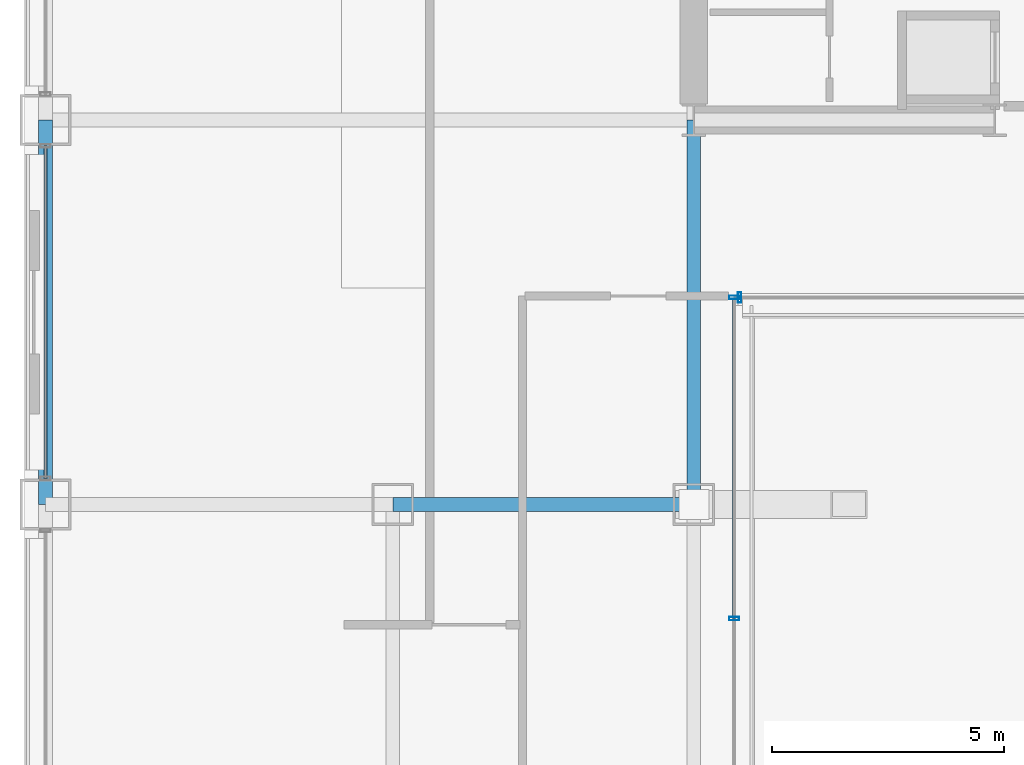
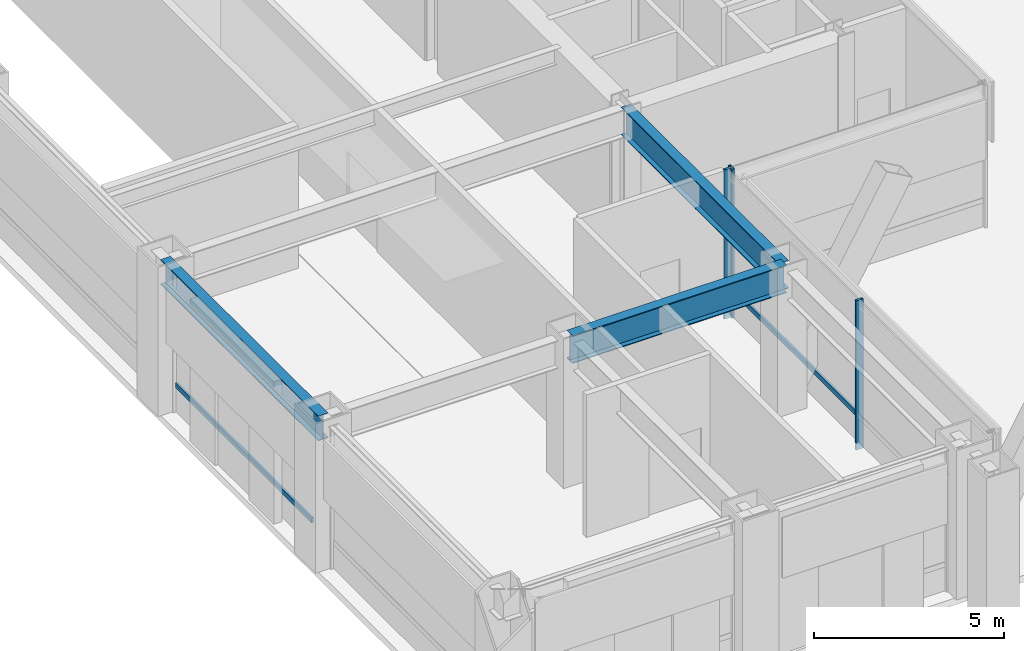
# One storey, part 3 of 37: 5 members, 3 beams, 3 elements without a shape of their own.
"""IFC4 building model written with IfcOpenShell, lengths in metres."""

from ifc_helpers import new_model, si_unit, direction, frame, origin, origin_2d, place, context, subcontext, project, spatial, hollow_rectangle, i_section, extrude, material, layer, layer_set, material_profile, profile_set, type_object, element, aggregate, save


model = new_model("IFC4")

# Units and contexts
model_context = context("Model", 3, precision=1e-05, world=origin(), true_north=direction((0.0, 1.0)))
body_context = subcontext(model_context, "Body", "Model", "MODEL_VIEW")
ifc_project = project(units=[si_unit("LENGTHUNIT", "METRE"), si_unit("AREAUNIT", "SQUARE_METRE"), si_unit("VOLUMEUNIT", "CUBIC_METRE"), si_unit("PLANEANGLEUNIT", "RADIAN"), si_unit("MASSUNIT", "GRAM", prefix="KILO")], contexts=[model_context])

# Site, building, storey
site_placement = place(None, origin())
site = spatial("IfcSite", under=ifc_project, at=site_placement, CompositionType="ELEMENT")
building_placement = place(site_placement, origin())
building = spatial("IfcBuilding", under=site, at=building_placement, Name="Brelmoor Portico Tower", CompositionType="ELEMENT")
storey_placement = place(building_placement, origin())
storey = spatial("IfcBuildingStorey", under=building, at=storey_placement, Name="L00", CompositionType="ELEMENT", Elevation=0.0)

# Beams
ifc_material_1 = material(Name="Steel Q355B", Category="steel")
ifc_material_profile_1 = material_profile(ifc_material_1, i_section(OverallWidth=0.300048828125, OverallDepth=0.89990234375, WebThickness=0.01611328125, FlangeThickness=0.028076171875, at=origin_2d()), Name="HN 900x300x16x28")
ifc_profile_set_1 = profile_set([ifc_material_profile_1], Name="Steel Q355B")
beam_type_1 = type_object("IfcBeamType", Name="BM-PG-900", PredefinedType="BEAM", material=ifc_profile_set_1)
beam_1_placement = place(storey_placement, frame((-14.550048828125, -18.050048828125, 4.1298828125), z_axis=(0.0, 1.0, 0.0), x_axis=(-1.0, 0.0, 0.0)))
element("IfcBeam", 1, at=beam_1_placement, inside=storey, type_object=beam_type_1, Name="L00 Primary Floor Girder PG-05", PredefinedType="BEAM", context=body_context, shape_type="SweptSolid", body=[
    extrude(i_section(OverallWidth=0.300048828125, OverallDepth=0.89990234375, WebThickness=0.01611328125, FlangeThickness=0.028076171875, at=origin_2d()), origin(), (0.0, 0.0, 1.0), 8.300048828125),
])
beam_2_placement = place(storey_placement, frame((-21.050048828125, -18.050048828125, 4.1298828125), z_axis=(1.0, 0.0, 0.0), x_axis=(0.0, 1.0, 0.0)))
element("IfcBeam", 2, at=beam_2_placement, inside=storey, type_object=beam_type_1, Name="L00 Primary Floor Girder PG-22", PredefinedType="BEAM", context=body_context, shape_type="SweptSolid", body=[
    extrude(i_section(OverallWidth=0.300048828125, OverallDepth=0.89990234375, WebThickness=0.01611328125, FlangeThickness=0.028076171875, at=origin_2d()), origin(), (0.0, 0.0, 1.0), 6.5),
])
ifc_material_profile_2 = material_profile(ifc_material_1, i_section(OverallWidth=0.300048828125, OverallDepth=0.800048828125, WebThickness=0.013916015625, FlangeThickness=0.02587890625, at=origin_2d()), Name="HN 800x300x14x26")
ifc_profile_set_2 = profile_set([ifc_material_profile_2], Name="Steel Q355B")
beam_type_2 = type_object("IfcBeamType", Name="BM-SP-800", PredefinedType="SPANDREL", material=ifc_profile_set_2)
beam_3_placement = place(storey_placement, frame((-28.550048828125, -18.050048828125, 4.179931640625), z_axis=(0.0, 1.0, 0.0), x_axis=(-1.0, 0.0, 0.0)))
element("IfcBeam", 3, at=beam_3_placement, inside=storey, type_object=beam_type_2, Name="L00 Perimeter Spandrel Beam SP-10", PredefinedType="SPANDREL", context=body_context, shape_type="SweptSolid", body=[
    extrude(i_section(OverallWidth=0.300048828125, OverallDepth=0.800048828125, WebThickness=0.013916015625, FlangeThickness=0.02587890625, at=origin_2d()), origin(), (0.0, 0.0, 1.0), 8.300048828125),
])

# Curtain wall, members
ifc_material_2 = material(Name="Anodised Aluminium Alloy 6063-T6", Category="aluminium")
ifc_layer = layer(ifc_material_2, 0.179931640625)
ifc_layer_set = layer_set([ifc_layer], Name="Anodised Aluminium Alloy 6063-T6")
curtain_wall_type = type_object("IfcCurtainWallType", Name="CW-PODIUM-ARCH", PredefinedType="NOTDEFINED", material=ifc_layer_set)
curtain_wall_1_placement = place(storey_placement, origin())
curtain_wall_1 = element("IfcCurtainWall", 4, at=curtain_wall_1_placement, inside=storey, type_object=curtain_wall_type, Name="L00 Curtain Wall CW-L00-07", PredefinedType="NOTDEFINED")
ifc_material_profile_3 = material_profile(ifc_material_2, hollow_rectangle(XDim=0.074951171875, YDim=0.219970703125, WallThickness=0.0048828125, at=origin_2d()), Name="ALU MULLION 75x220")
ifc_profile_set_3 = profile_set([ifc_material_profile_3], Name="Anodised Aluminium Alloy 6063-T6")
member_type_1 = type_object("IfcMemberType", Name="MB-CW-MULL-220", PredefinedType="MULLION", material=ifc_profile_set_3)
member_1_placement = place(storey_placement, frame((-13.679931640625, -20.514892578125, -0.219970703125), z_axis=(0.0, 0.0, 1.0), x_axis=(0.0, 1.0, 0.0)))
member_1 = element("IfcMember", 5, at=member_1_placement, type_object=member_type_1, Name="CW-L00-07 Mullion 01", PredefinedType="MULLION", context=body_context, shape_type="SweptSolid", body=[
    extrude(hollow_rectangle(XDim=0.074951171875, YDim=0.219970703125, WallThickness=0.0048828125, at=origin_2d()), origin(), (0.0, 0.0, 1.0), 4.800048828125),
])
member_2_placement = place(storey_placement, frame((-13.679931640625, -13.580078125, -0.219970703125), z_axis=(0.0, 0.0, 1.0), x_axis=(0.0, 1.0, 0.0)))
member_2 = element("IfcMember", 6, at=member_2_placement, type_object=member_type_1, Name="CW-L00-07 Mullion 02", PredefinedType="MULLION", context=body_context, shape_type="SweptSolid", body=[
    extrude(hollow_rectangle(XDim=0.074951171875, YDim=0.219970703125, WallThickness=0.0048828125, at=origin_2d()), origin(), (0.0, 0.0, 1.0), 4.800048828125),
])

# Curtain wall, member
curtain_wall_2_placement = place(storey_placement, origin())
curtain_wall_2 = element("IfcCurtainWall", 7, at=curtain_wall_2_placement, inside=storey, type_object=curtain_wall_type, Name="L00 Curtain Wall CW-L00-11", PredefinedType="NOTDEFINED")
member_3_placement = place(storey_placement, frame((-13.56005859375, -13.580078125, -0.219970703125), z_axis=(0.0, 0.0, 1.0), x_axis=(1.0, 0.0, 0.0)))
member_3 = element("IfcMember", 8, at=member_3_placement, type_object=member_type_1, Name="CW-L00-11 Mullion 00", PredefinedType="MULLION", context=body_context, shape_type="SweptSolid", body=[
    extrude(hollow_rectangle(XDim=0.074951171875, YDim=0.219970703125, WallThickness=0.0048828125, at=origin_2d()), origin(), (0.0, 0.0, 1.0), 4.800048828125),
])
aggregate(curtain_wall_2, [member_3])

curtain_wall_3_placement = place(storey_placement, origin())
curtain_wall_3 = element("IfcCurtainWall", 9, at=curtain_wall_3_placement, inside=storey, type_object=curtain_wall_type, Name="L00 Curtain Wall CW-L00-05-2", PredefinedType="NOTDEFINED")
ifc_material_profile_4 = material_profile(ifc_material_2, hollow_rectangle(XDim=0.070068359375, YDim=0.159912109375, WallThickness=0.00390625, at=origin_2d()), Name="ALU TRANSOM 70x160")
ifc_profile_set_4 = profile_set([ifc_material_profile_4], Name="Anodised Aluminium Alloy 6063-T6")
member_type_2 = type_object("IfcMemberType", Name="MB-CW-TRAN-160", PredefinedType="USERDEFINED", material=ifc_profile_set_4)
member_4_placement = place(storey_placement, frame((-28.550048828125, -17.489990234375, 0.85009765625), z_axis=(0.0, 1.0, 0.0), x_axis=(-1.0, 0.0, 0.0)))
member_4 = element("IfcMember", 10, at=member_4_placement, type_object=member_type_2, Name="CW-L00-05-2 Transom 1-00", ObjectType="TRANSOM", PredefinedType="USERDEFINED", context=body_context, shape_type="SweptSolid", body=[
    extrude(hollow_rectangle(XDim=0.070068359375, YDim=0.159912109375, WallThickness=0.00390625, at=origin_2d()), origin(), (0.0, 0.0, 1.0), 7.179931640625),
])
aggregate(curtain_wall_3, [member_4])

# Member
member_5_placement = place(storey_placement, frame((-13.679931640625, -20.514892578125, 0.85009765625), z_axis=(0.0, 1.0, 0.0), x_axis=(-1.0, 0.0, 0.0)))
member_5 = element("IfcMember", 11, at=member_5_placement, type_object=member_type_2, Name="CW-L00-07 Transom 1-01", ObjectType="TRANSOM", PredefinedType="USERDEFINED", context=body_context, shape_type="SweptSolid", body=[
    extrude(hollow_rectangle(XDim=0.070068359375, YDim=0.159912109375, WallThickness=0.00390625, at=origin_2d()), origin(), (0.0, 0.0, 1.0), 6.934814453125),
])

aggregate(curtain_wall_1, [member_1, member_2, member_5])

save(model, "model.ifc")
